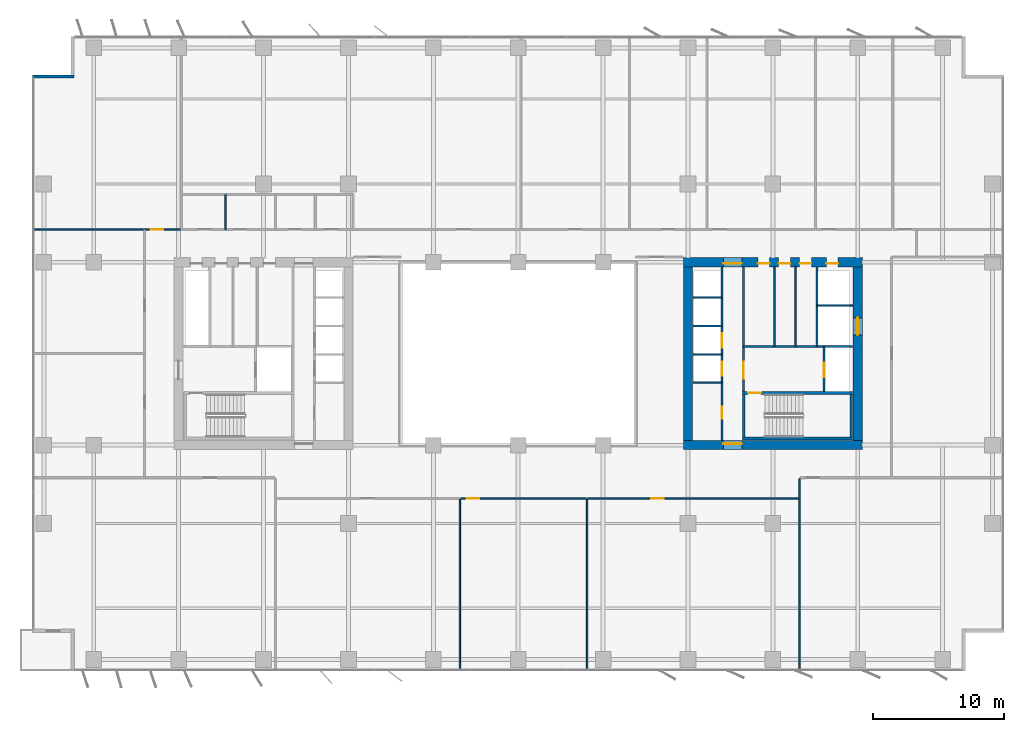
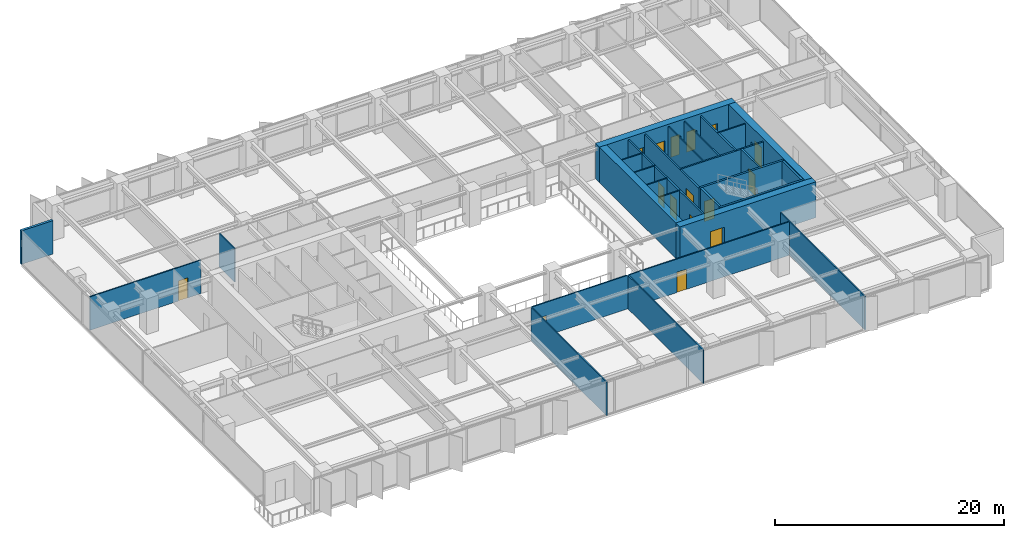
# One storey, part 14 of 20: 28 walls, 16 doors, 16 openings.
"""IFC4 building model written with IfcOpenShell, lengths in metres."""

from ifc_helpers import new_model, si_unit, direction, frame, frame_2d, origin, place, context, subcontext, project, spatial, rectangle, extrude, material, layer, layer_set, type_object, element, fill, save


model = new_model("IFC4")

# Units and contexts
model_context = context("Model", 3, precision=1e-05, world=origin(), true_north=direction((0.0, 1.0)))
body_context = subcontext(model_context, "Body", "Model", "MODEL_VIEW")
ifc_project = project(units=[si_unit("LENGTHUNIT", "METRE"), si_unit("AREAUNIT", "SQUARE_METRE"), si_unit("VOLUMEUNIT", "CUBIC_METRE"), si_unit("PLANEANGLEUNIT", "RADIAN"), si_unit("MASSUNIT", "GRAM", prefix="KILO")], contexts=[model_context])

# Site, building, storey
site_placement = place(None, origin())
site = spatial("IfcSite", under=ifc_project, at=site_placement, CompositionType="ELEMENT")
building_placement = place(site_placement, origin())
building = spatial("IfcBuilding", under=site, at=building_placement, Name="Putna Gate Headquarters", CompositionType="ELEMENT")
storey_placement = place(building_placement, frame((0.0, 0.0, 105.0)))
storey = spatial("IfcBuildingStorey", under=building, at=storey_placement, Name="L25", CompositionType="ELEMENT", Elevation=105.0)

# Wall, opening, door
ifc_material_1 = material(Name="Concrete C60/75", Category="concrete")
ifc_layer_1 = layer(ifc_material_1, 0.699951171875)
ifc_layer_set_1 = layer_set([ifc_layer_1], Name="Concrete C60/75")
wall_type_1 = type_object("IfcWallType", Name="WALL-CORE-700", PredefinedType="SHEAR", material=ifc_layer_set_1)
wall_1_placement = place(storey_placement, frame((51.64990234375, 19.0, 0.0), z_axis=(0.0, 0.0, 1.0), x_axis=(1.0, 0.0, 0.0)))
wall_1 = element("IfcWall", 1, at=wall_1_placement, inside=storey, type_object=wall_type_1, Name="L25 EC Split Core Shear Wall S", PredefinedType="SHEAR", context=body_context, shape_type="SweptSolid", body=[
    extrude(rectangle(XDim=13.7001953125, YDim=0.699951171875, at=frame_2d((6.85009765625, 0.0))), origin(), (0.0, 0.0, 1.0), 3.800048828125),
])
opening_1_placement = place(wall_1_placement, frame((3.070068359375, 0.0, 0.0)))
opening_1 = element("IfcOpeningElement", 2, at=opening_1_placement, cuts=wall_1, Name="Opening FDD-140", PredefinedType="OPENING", context=body_context, shape_type="SweptSolid", body=[
    extrude(rectangle(XDim=1.39990234375, YDim=2.199951171875, at=frame_2d((0.699951171875, 1.10009765625))), frame((0.0, 0.35986328125, 0.0), z_axis=(0.0, -1.0, 0.0), x_axis=(1.0, 0.0, 0.0)), (0.0, 0.0, 1.0), 0.719970703125),
])
ifc_material_2 = material(Name="Double steel fire door", Category="steel")
door_type_1 = type_object("IfcDoorType", Name="DOOR-FIRE-DBL-1400", OperationType="DOUBLE_DOOR_SINGLE_SWING", PredefinedType="DOOR", material=ifc_material_2)
door_1_placement = place(opening_1_placement, origin())
door_1 = element("IfcDoor", 3, at=door_1_placement, inside=storey, type_object=door_type_1, Name="L25 East Lift Lobby South Door", OperationType="DOUBLE_DOOR_SINGLE_SWING", OverallHeight=2.199951171875, OverallWidth=1.39990234375, PredefinedType="DOOR", context=body_context, shape_type="SweptSolid", body=[
    extrude(rectangle(XDim=1.39990234375, YDim=2.199951171875, at=frame_2d((0.699951171875, 1.10009765625))), frame((0.0, 0.125, 0.0), z_axis=(0.0, -1.0, 0.0), x_axis=(1.0, 0.0, 0.0)), (0.0, 0.0, 1.0), 0.050048828125),
])
fill(opening_1, door_1)

# Wall, openings, doors
wall_2_placement = place(storey_placement, frame((51.64990234375, 33.0, 0.0), z_axis=(0.0, 0.0, 1.0), x_axis=(1.0, 0.0, 0.0)))
wall_2 = element("IfcWall", 4, at=wall_2_placement, inside=storey, type_object=wall_type_1, Name="L25 EC Split Core Shear Wall N", PredefinedType="SHEAR", context=body_context, shape_type="SweptSolid", body=[
    extrude(rectangle(XDim=13.7001953125, YDim=0.699951171875, at=frame_2d((6.85009765625, 0.0))), origin(), (0.0, 0.0, 1.0), 3.800048828125),
])
opening_2_placement = place(wall_2_placement, frame((3.070068359375, 0.0, 0.0)))
opening_2 = element("IfcOpeningElement", 5, at=opening_2_placement, cuts=wall_2, Name="Opening FDD-140", PredefinedType="OPENING", context=body_context, shape_type="SweptSolid", body=[
    extrude(rectangle(XDim=1.39990234375, YDim=2.199951171875, at=frame_2d((0.699951171875, 1.10009765625))), frame((0.0, 0.35986328125, 0.0), z_axis=(0.0, -1.0, 0.0), x_axis=(1.0, 0.0, 0.0)), (0.0, 0.0, 1.0), 0.719970703125),
])
opening_3_placement = place(wall_2_placement, frame((10.949951171875, 0.0, 0.0)))
opening_3 = element("IfcOpeningElement", 6, at=opening_3_placement, cuts=wall_2, Name="Opening RD-90", PredefinedType="OPENING", context=body_context, shape_type="SweptSolid", body=[
    extrude(rectangle(XDim=0.89990234375, YDim=2.14990234375, at=frame_2d((0.449951171875, 1.074951171875))), frame((0.0, 0.35986328125, 0.0), z_axis=(0.0, -1.0, 0.0), x_axis=(1.0, 0.0, 0.0)), (0.0, 0.0, 1.0), 0.719970703125),
])
opening_4_placement = place(wall_2_placement, frame((5.699951171875, 0.0, 0.0)))
opening_4 = element("IfcOpeningElement", 7, at=opening_4_placement, cuts=wall_2, Name="Opening IDS-90", PredefinedType="OPENING", context=body_context, shape_type="SweptSolid", body=[
    extrude(rectangle(XDim=0.89990234375, YDim=2.14990234375, at=frame_2d((0.449951171875, 1.074951171875))), frame((0.0, 0.35986328125, 0.0), z_axis=(0.0, -1.0, 0.0), x_axis=(1.0, 0.0, 0.0)), (0.0, 0.0, 1.0), 0.719970703125),
])
opening_5_placement = place(wall_2_placement, frame((7.300048828125, 0.0, 0.0)))
opening_5 = element("IfcOpeningElement", 8, at=opening_5_placement, cuts=wall_2, Name="Opening IDS-90", PredefinedType="OPENING", context=body_context, shape_type="SweptSolid", body=[
    extrude(rectangle(XDim=0.89990234375, YDim=2.14990234375, at=frame_2d((0.449951171875, 1.074951171875))), frame((0.0, 0.35986328125, 0.0), z_axis=(0.0, -1.0, 0.0), x_axis=(1.0, 0.0, 0.0)), (0.0, 0.0, 1.0), 0.719970703125),
])
opening_6_placement = place(wall_2_placement, frame((8.89990234375, 0.0, 0.0)))
opening_6 = element("IfcOpeningElement", 9, at=opening_6_placement, cuts=wall_2, Name="Opening IDS-90", PredefinedType="OPENING", context=body_context, shape_type="SweptSolid", body=[
    extrude(rectangle(XDim=0.89990234375, YDim=2.14990234375, at=frame_2d((0.449951171875, 1.074951171875))), frame((0.0, 0.35986328125, 0.0), z_axis=(0.0, -1.0, 0.0), x_axis=(1.0, 0.0, 0.0)), (0.0, 0.0, 1.0), 0.719970703125),
])
door_2_placement = place(opening_2_placement, origin())
door_2 = element("IfcDoor", 10, at=door_2_placement, inside=storey, type_object=door_type_1, Name="L25 East Lift Lobby North Door", OperationType="DOUBLE_DOOR_SINGLE_SWING", OverallHeight=2.199951171875, OverallWidth=1.39990234375, PredefinedType="DOOR", context=body_context, shape_type="SweptSolid", body=[
    extrude(rectangle(XDim=1.39990234375, YDim=2.199951171875, at=frame_2d((0.699951171875, 1.10009765625))), frame((0.0, -0.0751953125, 0.0), z_axis=(0.0, -1.0, 0.0), x_axis=(1.0, 0.0, 0.0)), (0.0, 0.0, 1.0), 0.050048828125),
])
fill(opening_2, door_2)
ifc_material_3 = material(Name="Fire-rated utility door")
door_type_2 = type_object("IfcDoorType", Name="DOOR-INT-900", OperationType="NOTDEFINED", PredefinedType="DOOR", material=ifc_material_3)
door_3_placement = place(opening_4_placement, origin())
door_3 = element("IfcDoor", 11, at=door_3_placement, inside=storey, type_object=door_type_2, Name="L25 East Cleaner Store Door", OperationType="SINGLE_SWING_RIGHT", OverallHeight=2.14990234375, OverallWidth=0.89990234375, PredefinedType="DOOR", context=body_context, shape_type="SweptSolid", body=[
    extrude(rectangle(XDim=0.89990234375, YDim=2.14990234375, at=frame_2d((0.449951171875, 1.074951171875))), frame((0.0, -0.0751953125, 0.0), z_axis=(0.0, -1.0, 0.0), x_axis=(1.0, 0.0, 0.0)), (0.0, 0.0, 1.0), 0.050048828125),
])
fill(opening_4, door_3)
door_4_placement = place(opening_5_placement, origin())
door_4 = element("IfcDoor", 12, at=door_4_placement, inside=storey, type_object=door_type_2, Name="L25 BMS Outstation Door", OperationType="SINGLE_SWING_LEFT", OverallHeight=2.14990234375, OverallWidth=0.89990234375, PredefinedType="DOOR", context=body_context, shape_type="SweptSolid", body=[
    extrude(rectangle(XDim=0.89990234375, YDim=2.14990234375, at=frame_2d((0.449951171875, 1.074951171875))), frame((0.0, -0.0751953125, 0.0), z_axis=(0.0, -1.0, 0.0), x_axis=(1.0, 0.0, 0.0)), (0.0, 0.0, 1.0), 0.050048828125),
])
fill(opening_5, door_4)
door_5_placement = place(opening_6_placement, origin())
door_5 = element("IfcDoor", 13, at=door_5_placement, inside=storey, type_object=door_type_2, Name="L25 Facilities Equipment Store Door", OperationType="SINGLE_SWING_RIGHT", OverallHeight=2.14990234375, OverallWidth=0.89990234375, PredefinedType="DOOR", context=body_context, shape_type="SweptSolid", body=[
    extrude(rectangle(XDim=0.89990234375, YDim=2.14990234375, at=frame_2d((0.449951171875, 1.074951171875))), frame((0.0, -0.0751953125, 0.0), z_axis=(0.0, -1.0, 0.0), x_axis=(1.0, 0.0, 0.0)), (0.0, 0.0, 1.0), 0.050048828125),
])
fill(opening_6, door_5)
ifc_material_4 = material(Name="Steel riser access fire door", Category="steel")
door_type_3 = type_object("IfcDoorType", Name="DOOR-RISER-900", OperationType="NOTDEFINED", PredefinedType="DOOR", material=ifc_material_4)
door_6_placement = place(opening_3_placement, origin())
door_6 = element("IfcDoor", 14, at=door_6_placement, inside=storey, type_object=door_type_3, Name="L25 East Riser Access Door", OperationType="SINGLE_SWING_LEFT", OverallHeight=2.14990234375, OverallWidth=0.89990234375, PredefinedType="DOOR", context=body_context, shape_type="SweptSolid", body=[
    extrude(rectangle(XDim=0.89990234375, YDim=2.14990234375, at=frame_2d((0.449951171875, 1.074951171875))), frame((0.0, -0.0751953125, 0.0), z_axis=(0.0, -1.0, 0.0), x_axis=(1.0, 0.0, 0.0)), (0.0, 0.0, 1.0), 0.050048828125),
])
fill(opening_3, door_6)

# Wall
wall_3_placement = place(storey_placement, frame((52.0, 19.35009765625, 0.0), z_axis=(0.0, 0.0, 1.0), x_axis=(0.0, 1.0, 0.0)))
element("IfcWall", 15, at=wall_3_placement, inside=storey, type_object=wall_type_1, Name="L25 EC Split Core Shear Wall W", PredefinedType="SHEAR", context=body_context, shape_type="SweptSolid", body=[
    extrude(rectangle(XDim=13.2998046875, YDim=0.699951171875, at=frame_2d((6.64990234375, 0.0))), origin(), (0.0, 0.0, 1.0), 3.800048828125),
])

# Wall, opening, door
wall_4_placement = place(storey_placement, frame((65.0, 19.35009765625, 0.0), z_axis=(0.0, 0.0, 1.0), x_axis=(0.0, 1.0, 0.0)))
wall_4 = element("IfcWall", 16, at=wall_4_placement, inside=storey, type_object=wall_type_1, Name="L25 EC Split Core Shear Wall E", PredefinedType="SHEAR", context=body_context, shape_type="SweptSolid", body=[
    extrude(rectangle(XDim=13.2998046875, YDim=0.699951171875, at=frame_2d((6.64990234375, 0.0))), origin(), (0.0, 0.0, 1.0), 3.800048828125),
])
opening_7_placement = place(wall_4_placement, frame((8.10009765625, 0.0, 0.0)))
opening_7 = element("IfcOpeningElement", 17, at=opening_7_placement, cuts=wall_4, Name="Opening LD-2", PredefinedType="OPENING", context=body_context, shape_type="SweptSolid", body=[
    extrude(rectangle(XDim=1.300048828125, YDim=2.199951171875, at=frame_2d((0.64990234375, 1.10009765625))), frame((0.0, 0.35986328125, 0.0), z_axis=(0.0, -1.0, 0.0), x_axis=(1.0, 0.0, 0.0)), (0.0, 0.0, 1.0), 0.719970703125),
])
ifc_material_5 = material(Name="Heavy-duty goods lift sliding landing door")
door_type_4 = type_object("IfcDoorType", Name="DOOR-LIFT-1300", OperationType="DOUBLE_DOOR_SLIDING", PredefinedType="DOOR", material=ifc_material_5)
door_7_placement = place(opening_7_placement, origin())
door_7 = element("IfcDoor", 18, at=door_7_placement, inside=storey, type_object=door_type_4, Name="L25 Goods Lift Landing Door LD-15", OperationType="DOUBLE_DOOR_SLIDING", OverallHeight=2.199951171875, OverallWidth=1.300048828125, PredefinedType="DOOR", context=body_context, shape_type="SweptSolid", body=[
    extrude(rectangle(XDim=1.300048828125, YDim=2.199951171875, at=frame_2d((0.64990234375, 1.10009765625))), frame((0.0, 0.02490234375, 0.0), z_axis=(0.0, -1.0, 0.0), x_axis=(1.0, 0.0, 0.0)), (0.0, 0.0, 1.0), 0.050048828125),
])
fill(opening_7, door_7)

# Walls
ifc_material_6 = material(Name="Precast concrete C40/50", Category="concrete")
ifc_layer_2 = layer(ifc_material_6, 0.239990234375)
ifc_layer_set_2 = layer_set([ifc_layer_2], Name="Precast concrete C40/50")
wall_type_2 = type_object("IfcWallType", Name="WALL-EXT-TERR-240", PredefinedType="STANDARD", material=ifc_layer_set_2)
wall_5_placement = place(storey_placement, frame((1.800048828125, 47.219970703125, 0.0), z_axis=(0.0, 0.0, 1.0), x_axis=(1.0, 0.0, 0.0)))
element("IfcWall", 19, at=wall_5_placement, inside=storey, type_object=wall_type_2, Name="L25 Corner Notch Return Wall NW-H", PredefinedType="STANDARD", context=body_context, shape_type="SweptSolid", body=[
    extrude(rectangle(XDim=3.199951171875, YDim=0.239990234375, at=frame_2d((1.60009765625, 0.0))), origin(), (0.0, 0.0, 1.0), 3.56494140625),
])
ifc_material_7 = material(Name="Acoustic gypsum board on metal stud")
ifc_layer_3 = layer(ifc_material_7, 0.1201171875)
ifc_layer_set_3 = layer_set([ifc_layer_3], Name="Acoustic gypsum board on metal stud")
wall_type_3 = type_object("IfcWallType", Name="WALL-PART-120", PredefinedType="PARTITIONING", material=ifc_layer_set_3)
for number, where, z_axis, x_axis, name in (
    (20, (34.528076171875, 1.719970703125, 0.0), (0.0, 0.0, 1.0), (0.0, 1.0, 0.0), "L25 Interior Wall PART-L25-SB-DIV-02"),
    (21, (44.271484375, 1.719970703125, 0.0), (0.0, 0.0, 1.0), (0.0, 1.0, 0.0), "L25 Interior Wall PART-L25-SB-DIV-03"),
):
    element("IfcWall", number, at=place(storey_placement, frame(where, z_axis=z_axis, x_axis=x_axis)), inside=storey, type_object=wall_type_3, Name=name, PredefinedType="PARTITIONING", context=body_context, shape_type="SweptSolid", body=[
        extrude(rectangle(XDim=13.1201171875, YDim=0.1201171875, at=frame_2d((6.56005859375, 0.0))), origin(), (0.0, 0.0, 1.0), 3.56494140625),
    ])
wall_6_placement = place(storey_placement, frame((60.545654296875, 1.719970703125, 0.0), z_axis=(0.0, 0.0, 1.0), x_axis=(0.0, 1.0, 0.0)))
element("IfcWall", 22, at=wall_6_placement, inside=storey, type_object=wall_type_3, Name="L25 Interior Wall PART-L25-SB-DIV-04", PredefinedType="PARTITIONING", context=body_context, shape_type="SweptSolid", body=[
    extrude(rectangle(XDim=14.719970703125, YDim=0.1201171875, at=frame_2d((7.35986328125, 0.0))), origin(), (0.0, 0.0, 1.0), 3.56494140625),
])
ifc_material_8 = material(Name="Fire-rated shaftwall gypsum board on metal stud")
ifc_layer_4 = layer(ifc_material_8, 0.1201171875)
ifc_layer_set_4 = layer_set([ifc_layer_4], Name="Fire-rated shaftwall gypsum board on metal stud")
wall_type_4 = type_object("IfcWallType", Name="WALL-PART-120-EI120", PredefinedType="PARTITIONING", material=ifc_layer_set_4)
for number, where, z_axis, x_axis, name in (
    (23, (52.39990234375, 25.949951171875, 0.0), (0.0, 0.0, 1.0), (1.0, 0.0, 0.0), "L25 Interior Wall CWINT-L25-EC-LF07-DIV"),
    (24, (52.39990234375, 28.1201171875, 0.0), (0.0, 0.0, 1.0), (1.0, 0.0, 0.0), "L25 Interior Wall CWINT-L25-EC-LF08-DIV"),
    (25, (52.39990234375, 30.31005859375, 0.0), (0.0, 0.0, 1.0), (1.0, 0.0, 0.0), "L25 Interior Wall CWINT-L25-EC-LF11-DIV"),
):
    element("IfcWall", number, at=place(storey_placement, frame(where, z_axis=z_axis, x_axis=x_axis)), inside=storey, type_object=wall_type_4, Name=name, PredefinedType="PARTITIONING", context=body_context, shape_type="SweptSolid", body=[
        extrude(rectangle(XDim=2.2001953125, YDim=0.1201171875, at=frame_2d((1.10009765625, 0.0))), origin(), (0.0, 0.0, 1.0), 3.56494140625),
    ])
wall_7_placement = place(storey_placement, frame((61.8701171875, 29.699951171875, 0.0), z_axis=(0.0, 0.0, 1.0), x_axis=(1.0, 0.0, 0.0)))
element("IfcWall", 26, at=wall_7_placement, inside=storey, type_object=wall_type_4, Name="L25 Interior Wall CWINT-L25-EC-LF15-N", PredefinedType="PARTITIONING", context=body_context, shape_type="SweptSolid", body=[
    extrude(rectangle(XDim=2.72998046875, YDim=0.1201171875, at=frame_2d((1.364990234375, 0.0))), origin(), (0.0, 0.0, 1.0), 3.56494140625),
])
ifc_material_9 = material(Name="Fire-rated gypsum board on metal stud")
ifc_layer_5 = layer(ifc_material_9, 0.1201171875)
ifc_layer_set_5 = layer_set([ifc_layer_5], Name="Fire-rated gypsum board on metal stud")
wall_type_5 = type_object("IfcWallType", Name="WALL-PART-120-RATED", PredefinedType="PARTITIONING", material=ifc_layer_set_5)
wall_8_placement = place(storey_placement, frame((52.39990234375, 23.780029296875, 0.0), z_axis=(0.0, 0.0, 1.0), x_axis=(1.0, 0.0, 0.0)))
element("IfcWall", 27, at=wall_8_placement, inside=storey, type_object=wall_type_5, Name="L25 Interior Wall CWINT-L25-EC-LF04-DIV", PredefinedType="PARTITIONING", context=body_context, shape_type="SweptSolid", body=[
    extrude(rectangle(XDim=2.2001953125, YDim=0.1201171875, at=frame_2d((1.10009765625, 0.0))), origin(), (0.0, 0.0, 1.0), 3.56494140625),
])
for number, where, z_axis, x_axis, name in (
    (28, (58.6201171875, 26.56005859375, 0.0), (0.0, 0.0, 1.0), (0.0, 1.0, 0.0), "L25 Interior Wall CWINT-L25-EC-K2-D1"),
    (29, (60.219970703125, 26.56005859375, 0.0), (0.0, 0.0, 1.0), (0.0, 1.0, 0.0), "L25 Interior Wall CWINT-L25-EC-K2-D2"),
):
    element("IfcWall", number, at=place(storey_placement, frame(where, z_axis=z_axis, x_axis=x_axis)), inside=storey, type_object=wall_type_5, Name=name, PredefinedType="PARTITIONING", context=body_context, shape_type="SweptSolid", body=[
        extrude(rectangle(XDim=6.08984375, YDim=0.1201171875, at=frame_2d((3.044921875, 0.0))), origin(), (0.0, 0.0, 1.0), 3.56494140625),
    ])
wall_9_placement = place(storey_placement, frame((16.60009765625, 35.5, 0.0), z_axis=(0.0, 0.0, 1.0), x_axis=(0.0, 1.0, 0.0)))
element("IfcWall", 30, at=wall_9_placement, inside=storey, type_object=wall_type_5, Name="L25 Interior Wall PART-L25-SAN-DIV-1", PredefinedType="PARTITIONING", context=body_context, shape_type="SweptSolid", body=[
    extrude(rectangle(XDim=2.679931640625, YDim=0.1201171875, at=frame_2d((1.33984375, 0.0))), origin(), (0.0, 0.0, 1.0), 3.56494140625),
])

# Wall, opening, door
wall_10_placement = place(storey_placement, frame((1.97998046875, 35.5, 0.0), z_axis=(0.0, 0.0, 1.0), x_axis=(1.0, 0.0, 0.0)))
wall_10 = element("IfcWall", 31, at=wall_10_placement, inside=storey, type_object=wall_type_5, Name="L25 Interior Wall PART-L25-NB-CW-01", PredefinedType="PARTITIONING", context=body_context, shape_type="SweptSolid", body=[
    extrude(rectangle(XDim=11.159912109375, YDim=0.1201171875, at=frame_2d((5.580078125, 0.0))), origin(), (0.0, 0.0, 1.0), 3.56494140625),
])
opening_8_placement = place(wall_10_placement, frame((8.89990234375, 0.0, 0.0)))
opening_8 = element("IfcOpeningElement", 32, at=opening_8_placement, cuts=wall_10, Name="Opening FD-95", PredefinedType="OPENING", context=body_context, shape_type="SweptSolid", body=[
    extrude(rectangle(XDim=0.949951171875, YDim=2.14990234375, at=frame_2d((0.47509765625, 1.074951171875))), frame((0.0, 0.070068359375, 0.0), z_axis=(0.0, -1.0, 0.0), x_axis=(1.0, 0.0, 0.0)), (0.0, 0.0, 1.0), 0.14013671875),
])
ifc_material_10 = material(Name="Acoustic timber fire door", Category="wood")
door_type_5 = type_object("IfcDoorType", Name="DOOR-FIRE-950", OperationType="NOTDEFINED", PredefinedType="DOOR", material=ifc_material_10)
door_8_placement = place(opening_8_placement, origin())
door_8 = element("IfcDoor", 33, at=door_8_placement, inside=storey, type_object=door_type_5, Name="L25 Quiet Wellness Focus Studio 1 Door", OperationType="SINGLE_SWING_LEFT", OverallHeight=2.14990234375, OverallWidth=0.949951171875, PredefinedType="DOOR", context=body_context, shape_type="SweptSolid", body=[
    extrude(rectangle(XDim=0.949951171875, YDim=2.14990234375, at=frame_2d((0.47509765625, 1.074951171875))), frame((0.0, 0.02490234375, 0.0), z_axis=(0.0, -1.0, 0.0), x_axis=(1.0, 0.0, 0.0)), (0.0, 0.0, 1.0), 0.050048828125),
])
fill(opening_8, door_8)

wall_11_placement = place(storey_placement, frame((34.587890625, 14.89990234375, 0.0), z_axis=(0.0, 0.0, 1.0), x_axis=(1.0, 0.0, 0.0)))
wall_11 = element("IfcWall", 34, at=wall_11_placement, inside=storey, type_object=wall_type_5, Name="L25 Interior Wall PART-L25-SB-CW-03", PredefinedType="PARTITIONING", context=body_context, shape_type="SweptSolid", body=[
    extrude(rectangle(XDim=9.623779296875, YDim=0.1201171875, at=frame_2d((4.81201171875, 0.0))), origin(), (0.0, 0.0, 1.0), 3.56494140625),
])
opening_9_placement = place(wall_11_placement, frame((0.47998046875, 0.0, 0.0)))
opening_9 = element("IfcOpeningElement", 35, at=opening_9_placement, cuts=wall_11, Name="Opening FD-95", PredefinedType="OPENING", context=body_context, shape_type="SweptSolid", body=[
    extrude(rectangle(XDim=0.949951171875, YDim=2.14990234375, at=frame_2d((0.47509765625, 1.074951171875))), frame((0.0, 0.070068359375, 0.0), z_axis=(0.0, -1.0, 0.0), x_axis=(1.0, 0.0, 0.0)), (0.0, 0.0, 1.0), 0.14013671875),
])
door_9_placement = place(opening_9_placement, origin())
door_9 = element("IfcDoor", 36, at=door_9_placement, inside=storey, type_object=door_type_5, Name="L25 Collaborative Breakout Lounge 2 Door", OperationType="SINGLE_SWING_RIGHT", OverallHeight=2.14990234375, OverallWidth=0.949951171875, PredefinedType="DOOR", context=body_context, shape_type="SweptSolid", body=[
    extrude(rectangle(XDim=0.949951171875, YDim=2.14990234375, at=frame_2d((0.47509765625, 1.074951171875))), frame((0.0, 0.02490234375, 0.0), z_axis=(0.0, -1.0, 0.0), x_axis=(1.0, 0.0, 0.0)), (0.0, 0.0, 1.0), 0.050048828125),
])
fill(opening_9, door_9)

wall_12_placement = place(storey_placement, frame((44.33154296875, 14.89990234375, 0.0), z_axis=(0.0, 0.0, 1.0), x_axis=(1.0, 0.0, 0.0)))
wall_12 = element("IfcWall", 37, at=wall_12_placement, inside=storey, type_object=wall_type_5, Name="L25 Interior Wall PART-L25-SB-CW-04", PredefinedType="PARTITIONING", context=body_context, shape_type="SweptSolid", body=[
    extrude(rectangle(XDim=16.154052734375, YDim=0.1201171875, at=frame_2d((8.0771484375, 0.0))), origin(), (0.0, 0.0, 1.0), 3.56494140625),
])
opening_10_placement = place(wall_12_placement, frame((4.84619140625, 0.0, 0.0)))
opening_10 = element("IfcOpeningElement", 38, at=opening_10_placement, cuts=wall_12, Name="Opening FD-95", PredefinedType="OPENING", context=body_context, shape_type="SweptSolid", body=[
    extrude(rectangle(XDim=0.949951171875, YDim=2.14990234375, at=frame_2d((0.47509765625, 1.074951171875))), frame((0.0, 0.070068359375, 0.0), z_axis=(0.0, -1.0, 0.0), x_axis=(1.0, 0.0, 0.0)), (0.0, 0.0, 1.0), 0.14013671875),
])
door_10_placement = place(opening_10_placement, origin())
door_10 = element("IfcDoor", 39, at=door_10_placement, inside=storey, type_object=door_type_5, Name="L25 Collaborative Breakout Lounge 3 Door", OperationType="SINGLE_SWING_LEFT", OverallHeight=2.14990234375, OverallWidth=0.949951171875, PredefinedType="DOOR", context=body_context, shape_type="SweptSolid", body=[
    extrude(rectangle(XDim=0.949951171875, YDim=2.14990234375, at=frame_2d((0.47509765625, 1.074951171875))), frame((0.0, 0.02490234375, 0.0), z_axis=(0.0, -1.0, 0.0), x_axis=(1.0, 0.0, 0.0)), (0.0, 0.0, 1.0), 0.050048828125),
])
fill(opening_10, door_10)

# Wall, openings, doors
ifc_material_11 = material(Name="Concrete C40/50", Category="concrete")
ifc_layer_6 = layer(ifc_material_11, 0.159912109375)
ifc_layer_set_6 = layer_set([ifc_layer_6], Name="Concrete C40/50")
wall_type_6 = type_object("IfcWallType", Name="WALL-SHAFT-160", PredefinedType="STANDARD", material=ifc_layer_set_6)
wall_13_placement = place(storey_placement, frame((54.60009765625, 19.35009765625, 0.0), z_axis=(0.0, 0.0, 1.0), x_axis=(0.0, 1.0, 0.0)))
wall_13 = element("IfcWall", 40, at=wall_13_placement, inside=storey, type_object=wall_type_6, Name="L25 Interior Wall CWINT-L25-EC-PL-WALL", PredefinedType="STANDARD", context=body_context, shape_type="SweptSolid", body=[
    extrude(rectangle(XDim=13.2998046875, YDim=0.159912109375, at=frame_2d((6.64990234375, 0.0))), origin(), (0.0, 0.0, 1.0), 3.56494140625),
])
opening_11_placement = place(wall_13_placement, frame((1.64990234375, 0.0, 0.0)))
opening_11 = element("IfcOpeningElement", 41, at=opening_11_placement, cuts=wall_13, Name="Opening IDS-95", PredefinedType="OPENING", context=body_context, shape_type="SweptSolid", body=[
    extrude(rectangle(XDim=0.949951171875, YDim=2.14990234375, at=frame_2d((0.47509765625, 1.074951171875))), frame((0.0, 0.08984375, 0.0), z_axis=(0.0, -1.0, 0.0), x_axis=(1.0, 0.0, 0.0)), (0.0, 0.0, 1.0), 0.179931640625),
])
opening_12_placement = place(wall_13_placement, frame((4.949951171875, 0.0, 0.0)))
opening_12 = element("IfcOpeningElement", 42, at=opening_12_placement, cuts=wall_13, Name="Opening LD-1", PredefinedType="OPENING", context=body_context, shape_type="SweptSolid", body=[
    extrude(rectangle(XDim=1.10009765625, YDim=2.199951171875, at=frame_2d((0.550048828125, 1.10009765625))), frame((0.0, 0.08984375, 0.0), z_axis=(0.0, -1.0, 0.0), x_axis=(1.0, 0.0, 0.0)), (0.0, 0.0, 1.0), 0.179931640625),
])
opening_13_placement = place(wall_13_placement, frame((7.10009765625, 0.0, 0.0)))
opening_13 = element("IfcOpeningElement", 43, at=opening_13_placement, cuts=wall_13, Name="Opening LD-1", PredefinedType="OPENING", context=body_context, shape_type="SweptSolid", body=[
    extrude(rectangle(XDim=1.10009765625, YDim=2.199951171875, at=frame_2d((0.550048828125, 1.10009765625))), frame((0.0, 0.08984375, 0.0), z_axis=(0.0, -1.0, 0.0), x_axis=(1.0, 0.0, 0.0)), (0.0, 0.0, 1.0), 0.179931640625),
])
ifc_material_12 = material(Name="Fire-rated service timber door", Category="wood")
door_type_6 = type_object("IfcDoorType", Name="DOOR-INT-950", OperationType="NOTDEFINED", PredefinedType="DOOR", material=ifc_material_12)
door_11_placement = place(opening_11_placement, origin())
door_11 = element("IfcDoor", 44, at=door_11_placement, inside=storey, type_object=door_type_6, Name="L25 Stationery Store Door", OperationType="SINGLE_SWING_RIGHT", OverallHeight=2.14990234375, OverallWidth=0.949951171875, PredefinedType="DOOR", context=body_context, shape_type="SweptSolid", body=[
    extrude(rectangle(XDim=0.949951171875, YDim=2.14990234375, at=frame_2d((0.47509765625, 1.074951171875))), frame((0.0, 0.02490234375, 0.0), z_axis=(0.0, -1.0, 0.0), x_axis=(1.0, 0.0, 0.0)), (0.0, 0.0, 1.0), 0.050048828125),
])
fill(opening_11, door_11)
ifc_material_13 = material(Name="Brushed bronze stainless lift landing door")
door_type_7 = type_object("IfcDoorType", Name="DOOR-LIFT-1100", OperationType="DOUBLE_DOOR_SLIDING", PredefinedType="DOOR", material=ifc_material_13)
door_12_placement = place(opening_12_placement, origin())
door_12 = element("IfcDoor", 45, at=door_12_placement, inside=storey, type_object=door_type_7, Name="L25 Lift Landing Door LD-07", OperationType="DOUBLE_DOOR_SLIDING", OverallHeight=2.199951171875, OverallWidth=1.10009765625, PredefinedType="DOOR", context=body_context, shape_type="SweptSolid", body=[
    extrude(rectangle(XDim=1.10009765625, YDim=2.199951171875, at=frame_2d((0.550048828125, 1.10009765625))), frame((0.0, 0.02490234375, 0.0), z_axis=(0.0, -1.0, 0.0), x_axis=(1.0, 0.0, 0.0)), (0.0, 0.0, 1.0), 0.050048828125),
])
fill(opening_12, door_12)
door_13_placement = place(opening_13_placement, origin())
door_13 = element("IfcDoor", 46, at=door_13_placement, inside=storey, type_object=door_type_7, Name="L25 Lift Landing Door LD-08", OperationType="DOUBLE_DOOR_SLIDING", OverallHeight=2.199951171875, OverallWidth=1.10009765625, PredefinedType="DOOR", context=body_context, shape_type="SweptSolid", body=[
    extrude(rectangle(XDim=1.10009765625, YDim=2.199951171875, at=frame_2d((0.550048828125, 1.10009765625))), frame((0.0, 0.02490234375, 0.0), z_axis=(0.0, -1.0, 0.0), x_axis=(1.0, 0.0, 0.0)), (0.0, 0.0, 1.0), 0.050048828125),
])
fill(opening_13, door_13)

# Wall, opening, door
wall_14_placement = place(storey_placement, frame((56.260009765625, 23.090087890625, 0.0), z_axis=(0.0, 0.0, 1.0), x_axis=(0.0, 1.0, 0.0)))
wall_14 = element("IfcWall", 47, at=wall_14_placement, inside=storey, type_object=wall_type_6, Name="L25 Interior Wall CWINT-L25-EC-LOB-E", PredefinedType="STANDARD", context=body_context, shape_type="SweptSolid", body=[
    extrude(rectangle(XDim=9.559814453125, YDim=0.159912109375, at=frame_2d((4.77978515625, 0.0))), origin(), (0.0, 0.0, 1.0), 3.56494140625),
])
opening_14_placement = place(wall_14_placement, frame((1.010009765625, 0.0, 0.0)))
opening_14 = element("IfcOpeningElement", 48, at=opening_14_placement, cuts=wall_14, Name="Opening FDD-130", PredefinedType="OPENING", context=body_context, shape_type="SweptSolid", body=[
    extrude(rectangle(XDim=1.300048828125, YDim=2.199951171875, at=frame_2d((0.64990234375, 1.10009765625))), frame((0.0, 0.08984375, 0.0), z_axis=(0.0, -1.0, 0.0), x_axis=(1.0, 0.0, 0.0)), (0.0, 0.0, 1.0), 0.179931640625),
])
ifc_material_14 = material(Name="Double steel lobby fire door", Category="steel")
door_type_8 = type_object("IfcDoorType", Name="DOOR-FIRE-DBL-1300", OperationType="DOUBLE_DOOR_SINGLE_SWING", PredefinedType="DOOR", material=ifc_material_14)
door_14_placement = place(opening_14_placement, origin())
door_14 = element("IfcDoor", 49, at=door_14_placement, inside=storey, type_object=door_type_8, Name="L25 East Firefighting Lobby Door", OperationType="DOUBLE_DOOR_SINGLE_SWING", OverallHeight=2.199951171875, OverallWidth=1.300048828125, PredefinedType="DOOR", context=body_context, shape_type="SweptSolid", body=[
    extrude(rectangle(XDim=1.300048828125, YDim=2.199951171875, at=frame_2d((0.64990234375, 1.10009765625))), frame((0.0, 0.02490234375, 0.0), z_axis=(0.0, -1.0, 0.0), x_axis=(1.0, 0.0, 0.0)), (0.0, 0.0, 1.0), 0.050048828125),
])
fill(opening_14, door_14)

wall_15_placement = place(storey_placement, frame((62.429931640625, 23.090087890625, 0.0), z_axis=(0.0, 0.0, 1.0), x_axis=(0.0, 1.0, 0.0)))
wall_15 = element("IfcWall", 50, at=wall_15_placement, inside=storey, type_object=wall_type_6, Name="L25 Interior Wall CWINT-L25-EC-LF14-W", PredefinedType="STANDARD", context=body_context, shape_type="SweptSolid", body=[
    extrude(rectangle(XDim=3.469970703125, YDim=0.159912109375, at=frame_2d((1.73486328125, 0.0))), origin(), (0.0, 0.0, 1.0), 3.56494140625),
])
opening_15_placement = place(wall_15_placement, frame((1.10009765625, 0.0, 0.0)))
opening_15 = element("IfcOpeningElement", 51, at=opening_15_placement, cuts=wall_15, Name="Opening LD-1", PredefinedType="OPENING", context=body_context, shape_type="SweptSolid", body=[
    extrude(rectangle(XDim=1.10009765625, YDim=2.199951171875, at=frame_2d((0.550048828125, 1.10009765625))), frame((0.0, 0.08984375, 0.0), z_axis=(0.0, -1.0, 0.0), x_axis=(1.0, 0.0, 0.0)), (0.0, 0.0, 1.0), 0.179931640625),
])
door_15_placement = place(opening_15_placement, origin())
door_15 = element("IfcDoor", 52, at=door_15_placement, inside=storey, type_object=door_type_7, Name="L25 Lift Landing Door LD-14", OperationType="DOUBLE_DOOR_SLIDING", OverallHeight=2.199951171875, OverallWidth=1.10009765625, PredefinedType="DOOR", context=body_context, shape_type="SweptSolid", body=[
    extrude(rectangle(XDim=1.10009765625, YDim=2.199951171875, at=frame_2d((0.550048828125, 1.10009765625))), frame((0.0, 0.02490234375, 0.0), z_axis=(0.0, -1.0, 0.0), x_axis=(1.0, 0.0, 0.0)), (0.0, 0.0, 1.0), 0.050048828125),
])
fill(opening_15, door_15)

# Walls
wall_16_placement = place(storey_placement, frame((56.260009765625, 26.56005859375, 0.0), z_axis=(0.0, 0.0, 1.0), x_axis=(1.0, 0.0, 0.0)))
element("IfcWall", 53, at=wall_16_placement, inside=storey, type_object=wall_type_6, Name="L25 Interior Wall CWINT-L25-EC-FFL-N", PredefinedType="STANDARD", context=body_context, shape_type="SweptSolid", body=[
    extrude(rectangle(XDim=8.340087890625, YDim=0.159912109375, at=frame_2d((4.169921875, 0.0))), origin(), (0.0, 0.0, 1.0), 3.56494140625),
])
wall_17_placement = place(storey_placement, frame((61.8701171875, 26.56005859375, 0.0), z_axis=(0.0, 0.0, 1.0), x_axis=(0.0, 1.0, 0.0)))
element("IfcWall", 54, at=wall_17_placement, inside=storey, type_object=wall_type_6, Name="L25 Interior Wall CWINT-L25-EC-LF15-W", PredefinedType="STANDARD", context=body_context, shape_type="SweptSolid", body=[
    extrude(rectangle(XDim=6.08984375, YDim=0.159912109375, at=frame_2d((3.044921875, 0.0))), origin(), (0.0, 0.0, 1.0), 3.56494140625),
])
ifc_layer_7 = layer(ifc_material_11, 0.199951171875)
ifc_layer_set_7 = layer_set([ifc_layer_7], Name="Concrete C40/50")
wall_type_7 = type_object("IfcWallType", Name="WALL-SHAFT-RC200", PredefinedType="SHEAR", material=ifc_layer_set_7)
wall_18_placement = place(storey_placement, frame((56.159912109375, 19.510009765625, 0.0), z_axis=(0.0, 0.0, 1.0), x_axis=(1.0, 0.0, 0.0)))
element("IfcWall", 55, at=wall_18_placement, inside=storey, type_object=wall_type_7, Name="L25 Stair ST2 Structural Shaft Wall S", PredefinedType="SHEAR", context=body_context, shape_type="SweptSolid", body=[
    extrude(rectangle(XDim=8.43017578125, YDim=0.199951171875, at=frame_2d((4.215087890625, 0.0))), origin(), (0.0, 0.0, 1.0), 3.800048828125),
])

# Wall, opening, door
wall_19_placement = place(storey_placement, frame((56.159912109375, 22.989990234375, 0.0), z_axis=(0.0, 0.0, 1.0), x_axis=(1.0, 0.0, 0.0)))
wall_19 = element("IfcWall", 56, at=wall_19_placement, inside=storey, type_object=wall_type_7, Name="L25 Stair ST2 Structural Shaft Wall N", PredefinedType="SHEAR", context=body_context, shape_type="SweptSolid", body=[
    extrude(rectangle(XDim=8.43017578125, YDim=0.199951171875, at=frame_2d((4.215087890625, 0.0))), origin(), (0.0, 0.0, 1.0), 3.800048828125),
])
opening_16_placement = place(wall_19_placement, frame((0.449951171875, 0.0, 0.0)))
opening_16 = element("IfcOpeningElement", 57, at=opening_16_placement, cuts=wall_19, Name="Opening FD-100", PredefinedType="OPENING", context=body_context, shape_type="SweptSolid", body=[
    extrude(rectangle(XDim=1.0, YDim=2.14990234375, at=frame_2d((0.5, 1.074951171875))), frame((0.0, 0.10986328125, 0.0), z_axis=(0.0, -1.0, 0.0), x_axis=(1.0, 0.0, 0.0)), (0.0, 0.0, 1.0), 0.219970703125),
])
ifc_material_15 = material(Name="Powder-coated steel fire door", Category="steel")
door_type_9 = type_object("IfcDoorType", Name="DOOR-FIRE-1000", OperationType="NOTDEFINED", PredefinedType="DOOR", material=ifc_material_15)
door_16_placement = place(opening_16_placement, origin())
door_16 = element("IfcDoor", 58, at=door_16_placement, inside=storey, type_object=door_type_9, Name="L25 Stair ST2 Fire Door", OperationType="SINGLE_SWING_RIGHT", OverallHeight=2.14990234375, OverallWidth=1.0, PredefinedType="DOOR", context=body_context, shape_type="SweptSolid", body=[
    extrude(rectangle(XDim=1.0, YDim=2.14990234375, at=frame_2d((0.5, 1.074951171875))), frame((0.0, 0.02490234375, 0.0), z_axis=(0.0, -1.0, 0.0), x_axis=(1.0, 0.0, 0.0)), (0.0, 0.0, 1.0), 0.050048828125),
])
fill(opening_16, door_16)

# Walls
for number, where, z_axis, x_axis, name in (
    (59, (56.260009765625, 19.610107421875, 0.0), (0.0, 0.0, 1.0), (0.0, 1.0, 0.0), "L25 Stair ST2 Structural Shaft Wall W"),
    (60, (64.489990234375, 19.610107421875, 0.0), (0.0, 0.0, 1.0), (0.0, 1.0, 0.0), "L25 Stair ST2 Structural Shaft Wall E"),
):
    element("IfcWall", number, at=place(storey_placement, frame(where, z_axis=z_axis, x_axis=x_axis)), inside=storey, type_object=wall_type_7, Name=name, PredefinedType="SHEAR", context=body_context, shape_type="SweptSolid", body=[
        extrude(rectangle(XDim=3.27978515625, YDim=0.199951171875, at=frame_2d((1.639892578125, 0.0))), origin(), (0.0, 0.0, 1.0), 3.800048828125),
    ])

save(model, "model.ifc")
